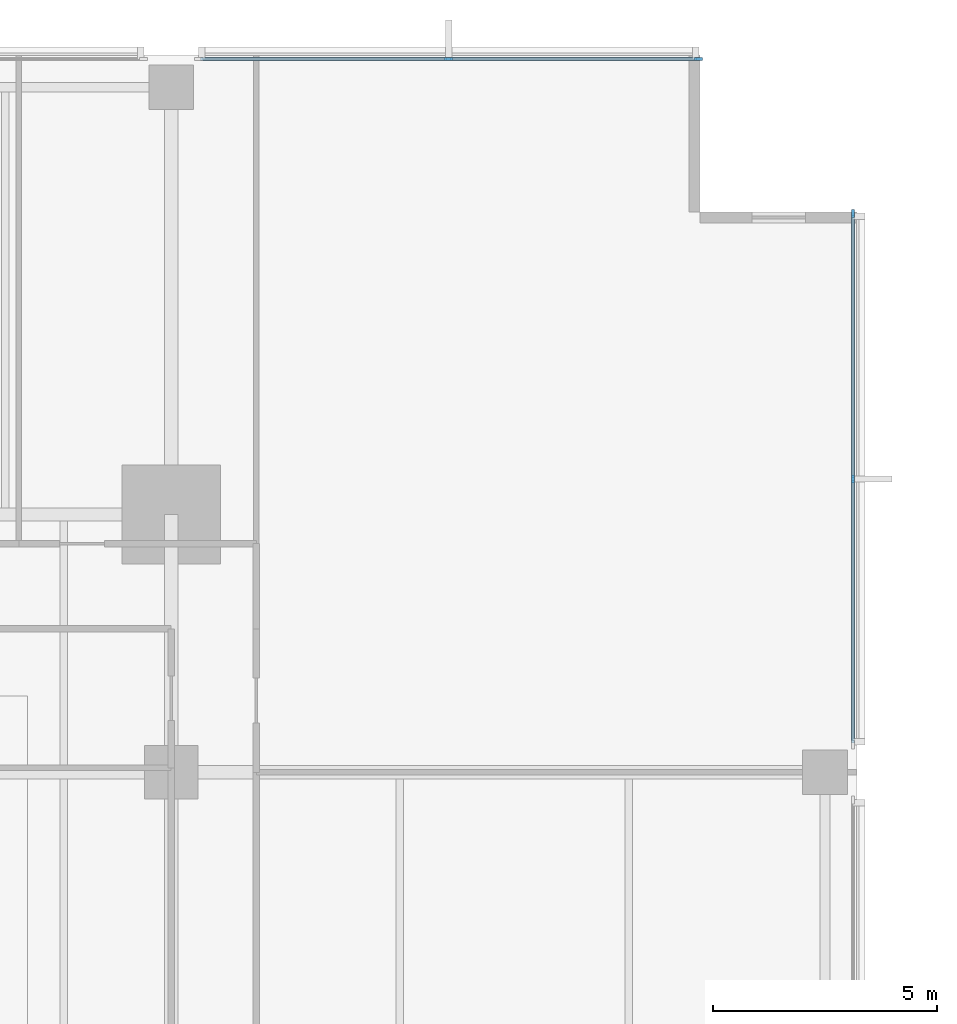
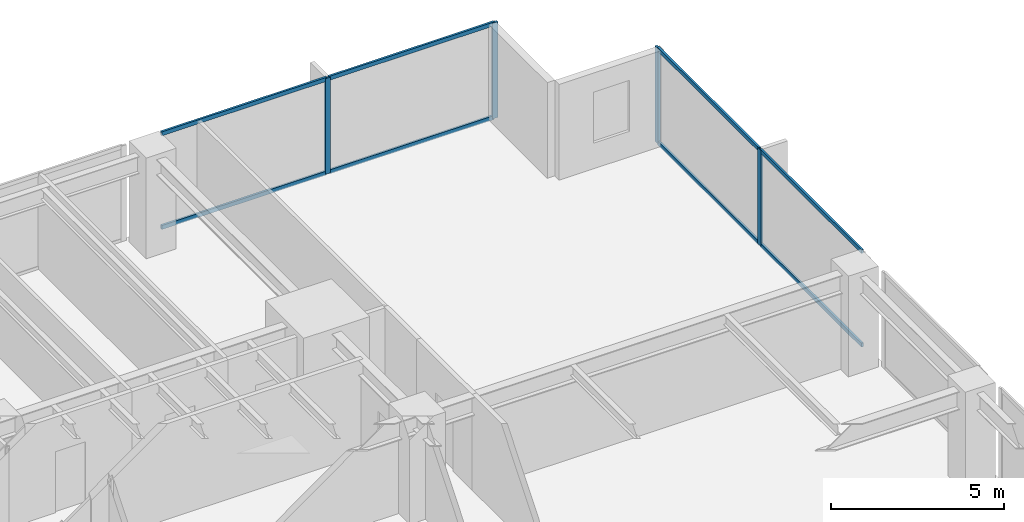
# One storey, part 6 of 15: 12 members, 2 elements without a shape of their own.
"""IFC4 building model written with IfcOpenShell, lengths in metres."""

from ifc_helpers import new_model, si_unit, direction, frame, origin, origin_2d, place, context, subcontext, project, spatial, rectangle, extrude, material, layer, layer_set, material_profile, profile_set, type_object, element, aggregate, save


model = new_model("IFC4")

# Units and contexts
model_context = context("Model", 3, precision=1e-05, world=origin(), true_north=direction((0.0, 1.0)))
body_context = subcontext(model_context, "Body", "Model", "MODEL_VIEW")
ifc_project = project(units=[si_unit("LENGTHUNIT", "METRE"), si_unit("AREAUNIT", "SQUARE_METRE"), si_unit("VOLUMEUNIT", "CUBIC_METRE"), si_unit("PLANEANGLEUNIT", "RADIAN"), si_unit("MASSUNIT", "GRAM", prefix="KILO")], contexts=[model_context])

# Site, building, storey
site_placement = place(None, origin())
site = spatial("IfcSite", under=ifc_project, at=site_placement, CompositionType="ELEMENT")
building_placement = place(site_placement, origin())
building = spatial("IfcBuilding", under=site, at=building_placement, Name="Kinhvarn Gate Tower", CompositionType="ELEMENT")
storey_placement = place(building_placement, frame((0.0, 0.0, 54.0)))
storey = spatial("IfcBuildingStorey", under=building, at=storey_placement, Name="L13", CompositionType="ELEMENT", Elevation=54.0)

# Curtain wall, members
ifc_material = material(Name="Anodised aluminium AW-6063", Category="aluminium")
ifc_layer = layer(ifc_material, 0.179931640625)
ifc_layer_set = layer_set([ifc_layer], Name="Anodised aluminium AW-6063")
curtain_wall_type = type_object("IfcCurtainWallType", Name="CW-SYS-2", PredefinedType="NOTDEFINED", material=ifc_layer_set)
curtain_wall_1_placement = place(storey_placement, origin())
curtain_wall_1 = element("IfcCurtainWall", 1, at=curtain_wall_1_placement, inside=storey, type_object=curtain_wall_type, Name="Curtain Wall CW2 (L13)", PredefinedType="NOTDEFINED")
ifc_material_profile_1 = material_profile(ifc_material, rectangle(XDim=0.070068359375, YDim=0.179931640625, at=origin_2d()), Name="ALU 70x180")
ifc_profile_set_1 = profile_set([ifc_material_profile_1], Name="Anodised aluminium AW-6063")
member_type_1 = type_object("IfcMemberType", Name="CW-MUL-180", PredefinedType="MULLION", material=ifc_profile_set_1)
member_1_placement = place(storey_placement, frame((49.965087890625, 47.909912109375, 0.0), z_axis=(0.0, 0.0, 1.0), x_axis=(0.0, -1.0, 0.0)))
member_1 = element("IfcMember", 2, at=member_1_placement, type_object=member_type_1, Name="CW2 mullion 1", PredefinedType="MULLION", context=body_context, shape_type="SweptSolid", body=[
    extrude(rectangle(XDim=0.070068359375, YDim=0.179931640625, at=origin_2d()), origin(), (0.0, 0.0, 1.0), 3.3701171875),
])
member_2_placement = place(storey_placement, frame((44.389892578125, 47.909912109375, 0.0), z_axis=(0.0, 0.0, 1.0), x_axis=(0.0, -1.0, 0.0)))
member_2 = element("IfcMember", 3, at=member_2_placement, type_object=member_type_1, Name="CW2 mullion 2", PredefinedType="MULLION", context=body_context, shape_type="SweptSolid", body=[
    extrude(rectangle(XDim=0.070068359375, YDim=0.179931640625, at=origin_2d()), origin(), (0.0, 0.0, 1.0), 3.3701171875),
])

curtain_wall_2_placement = place(storey_placement, origin())
curtain_wall_2 = element("IfcCurtainWall", 4, at=curtain_wall_2_placement, inside=storey, type_object=curtain_wall_type, Name="Curtain Wall CW2 (L13)", PredefinedType="NOTDEFINED")
member_3_placement = place(storey_placement, frame((53.409912109375, 38.5400390625, 0.0), z_axis=(0.0, 0.0, 1.0), x_axis=(-1.0, 0.0, 0.0)))
member_3 = element("IfcMember", 5, at=member_3_placement, type_object=member_type_1, Name="CW2 mullion 2", PredefinedType="MULLION", context=body_context, shape_type="SweptSolid", body=[
    extrude(rectangle(XDim=0.070068359375, YDim=0.179931640625, at=origin_2d()), origin(), (0.0, 0.0, 1.0), 3.3701171875),
])
member_4_placement = place(storey_placement, frame((53.409912109375, 44.465087890625, 0.0), z_axis=(0.0, 0.0, 1.0), x_axis=(-1.0, 0.0, 0.0)))
member_4 = element("IfcMember", 6, at=member_4_placement, type_object=member_type_1, Name="CW2 mullion 3", PredefinedType="MULLION", context=body_context, shape_type="SweptSolid", body=[
    extrude(rectangle(XDim=0.070068359375, YDim=0.179931640625, at=origin_2d()), origin(), (0.0, 0.0, 1.0), 3.3701171875),
])

# Member
ifc_material_profile_2 = material_profile(ifc_material, rectangle(XDim=0.070068359375, YDim=0.139892578125, at=origin_2d()), Name="ALU 70x140")
ifc_profile_set_2 = profile_set([ifc_material_profile_2], Name="Anodised aluminium AW-6063")
member_type_2 = type_object("IfcMemberType", Name="CW-TRN-140", PredefinedType="USERDEFINED", material=ifc_profile_set_2)
member_5_placement = place(storey_placement, frame((49.929931640625, 47.909912109375, 0.034912109375), z_axis=(-1.0, 0.0, 0.0), x_axis=(0.0, -1.0, 0.0)))
member_5 = element("IfcMember", 7, at=member_5_placement, type_object=member_type_2, Name="CW2 transom 1.1", ObjectType="TRANSOM", PredefinedType="USERDEFINED", context=body_context, shape_type="SweptSolid", body=[
    extrude(rectangle(XDim=0.070068359375, YDim=0.139892578125, at=origin_2d()), origin(), (0.0, 0.0, 1.0), 5.5048828125),
])

member_6_placement = place(storey_placement, frame((49.929931640625, 47.909912109375, 3.3349609375), z_axis=(-1.0, 0.0, 0.0), x_axis=(0.0, -1.0, 0.0)))
member_6 = element("IfcMember", 8, at=member_6_placement, type_object=member_type_2, Name="CW2 transom 1.2", ObjectType="TRANSOM", PredefinedType="USERDEFINED", context=body_context, shape_type="SweptSolid", body=[
    extrude(rectangle(XDim=0.070068359375, YDim=0.139892578125, at=origin_2d()), origin(), (0.0, 0.0, 1.0), 5.5048828125),
])

member_7_placement = place(storey_placement, frame((44.35498046875, 47.909912109375, 0.034912109375), z_axis=(-1.0, 0.0, 0.0), x_axis=(0.0, -1.0, 0.0)))
member_7 = element("IfcMember", 9, at=member_7_placement, type_object=member_type_2, Name="CW2 transom 2.1", ObjectType="TRANSOM", PredefinedType="USERDEFINED", context=body_context, shape_type="SweptSolid", body=[
    extrude(rectangle(XDim=0.070068359375, YDim=0.139892578125, at=origin_2d()), origin(), (0.0, 0.0, 1.0), 5.5048828125),
])

member_8_placement = place(storey_placement, frame((44.35498046875, 47.909912109375, 3.3349609375), z_axis=(-1.0, 0.0, 0.0), x_axis=(0.0, -1.0, 0.0)))
member_8 = element("IfcMember", 10, at=member_8_placement, type_object=member_type_2, Name="CW2 transom 2.2", ObjectType="TRANSOM", PredefinedType="USERDEFINED", context=body_context, shape_type="SweptSolid", body=[
    extrude(rectangle(XDim=0.070068359375, YDim=0.139892578125, at=origin_2d()), origin(), (0.0, 0.0, 1.0), 5.5048828125),
])

aggregate(curtain_wall_1, [member_1, member_2, member_5, member_6, member_7, member_8])

member_9_placement = place(storey_placement, frame((53.409912109375, 32.64990234375, 0.034912109375), z_axis=(0.0, 1.0, 0.0), x_axis=(-1.0, 0.0, 0.0)))
member_9 = element("IfcMember", 11, at=member_9_placement, type_object=member_type_2, Name="CW2 transom 1.1", ObjectType="TRANSOM", PredefinedType="USERDEFINED", context=body_context, shape_type="SweptSolid", body=[
    extrude(rectangle(XDim=0.070068359375, YDim=0.139892578125, at=origin_2d()), origin(), (0.0, 0.0, 1.0), 5.85498046875),
])

member_10_placement = place(storey_placement, frame((53.409912109375, 32.64990234375, 3.3349609375), z_axis=(0.0, 1.0, 0.0), x_axis=(-1.0, 0.0, 0.0)))
member_10 = element("IfcMember", 12, at=member_10_placement, type_object=member_type_2, Name="CW2 transom 1.2", ObjectType="TRANSOM", PredefinedType="USERDEFINED", context=body_context, shape_type="SweptSolid", body=[
    extrude(rectangle(XDim=0.070068359375, YDim=0.139892578125, at=origin_2d()), origin(), (0.0, 0.0, 1.0), 5.85498046875),
])

member_11_placement = place(storey_placement, frame((53.409912109375, 38.574951171875, 0.034912109375), z_axis=(0.0, 1.0, 0.0), x_axis=(-1.0, 0.0, 0.0)))
member_11 = element("IfcMember", 13, at=member_11_placement, type_object=member_type_2, Name="CW2 transom 2.1", ObjectType="TRANSOM", PredefinedType="USERDEFINED", context=body_context, shape_type="SweptSolid", body=[
    extrude(rectangle(XDim=0.070068359375, YDim=0.139892578125, at=origin_2d()), origin(), (0.0, 0.0, 1.0), 5.85498046875),
])

member_12_placement = place(storey_placement, frame((53.409912109375, 38.574951171875, 3.3349609375), z_axis=(0.0, 1.0, 0.0), x_axis=(-1.0, 0.0, 0.0)))
member_12 = element("IfcMember", 14, at=member_12_placement, type_object=member_type_2, Name="CW2 transom 2.2", ObjectType="TRANSOM", PredefinedType="USERDEFINED", context=body_context, shape_type="SweptSolid", body=[
    extrude(rectangle(XDim=0.070068359375, YDim=0.139892578125, at=origin_2d()), origin(), (0.0, 0.0, 1.0), 5.85498046875),
])

aggregate(curtain_wall_2, [member_3, member_4, member_9, member_10, member_11, member_12])

save(model, "model.ifc")
